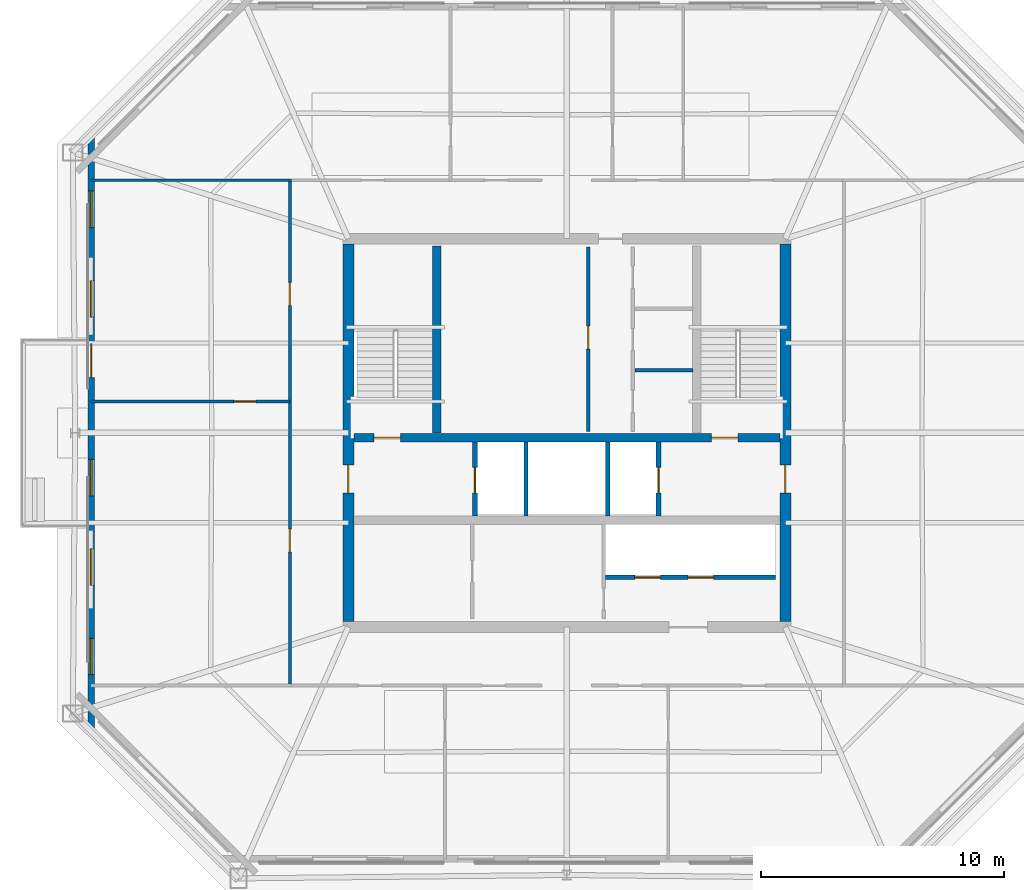
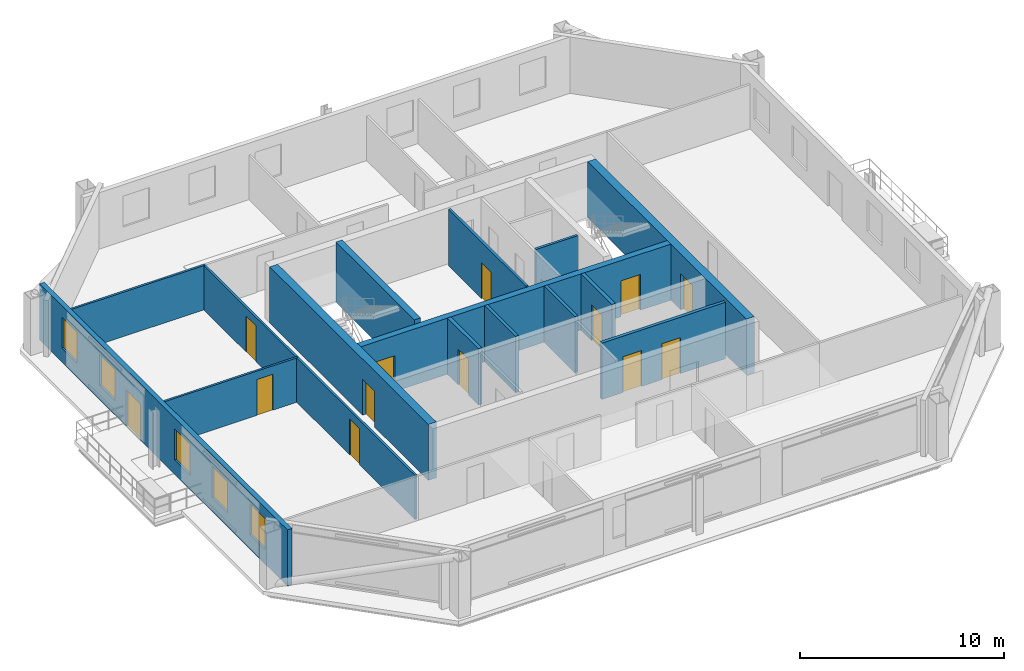
# One storey, part 3 of 7: 15 walls, 13 doors, 5 windows, 18 openings.
"""IFC4 building model written with IfcOpenShell, lengths in metres."""

from ifc_helpers import new_model, si_unit, direction, frame, frame_2d, origin, place, context, subcontext, project, spatial, rectangle, extrude, material, layer, layer_set, type_object, element, fill, save


model = new_model("IFC4")

# Units and contexts
model_context = context("Model", 3, precision=1e-05, world=origin(), true_north=direction((0.0, 1.0)))
body_context = subcontext(model_context, "Body", "Model", "MODEL_VIEW")
ifc_project = project(units=[si_unit("LENGTHUNIT", "METRE"), si_unit("AREAUNIT", "SQUARE_METRE"), si_unit("VOLUMEUNIT", "CUBIC_METRE"), si_unit("PLANEANGLEUNIT", "RADIAN"), si_unit("MASSUNIT", "GRAM", prefix="KILO")], contexts=[model_context])

# Site, building, storey
site_placement = place(None, origin())
site = spatial("IfcSite", under=ifc_project, at=site_placement, CompositionType="ELEMENT")
building_placement = place(site_placement, origin())
building = spatial("IfcBuilding", under=site, at=building_placement, Name="Caelvoria Tower", CompositionType="ELEMENT")
storey_placement = place(building_placement, frame((0.0, 0.0, 220.199951171875)))
storey = spatial("IfcBuildingStorey", under=building, at=storey_placement, Name="L58", CompositionType="ELEMENT", Elevation=220.199951171875)

# Wall, openings, doors
ifc_material_1 = material(Name="Concrete C50/60", Category="concrete")
ifc_layer_1 = layer(ifc_material_1, 0.35009765625, Name="Concrete C50/60")
ifc_layer_set_1 = layer_set([ifc_layer_1], Name="Core Internal Shear Wall 350 - Concrete C50/60")
wall_type_1 = type_object("IfcWallType", Name="Core Internal Shear Wall 350", PredefinedType="SHEAR", material=ifc_layer_set_1)
wall_1_placement = place(storey_placement, frame((37.22509765625, 31.800048828125, 0.0), z_axis=(0.0, 0.0, 1.0), x_axis=(1.0, 0.0, 0.0)))
wall_1 = element("IfcWall", 1, at=wall_1_placement, inside=storey, type_object=wall_type_1, Name="Core Shear Wall L58 M1", PredefinedType="SHEAR", context=body_context, shape_type="SweptSolid", body=[
    extrude(rectangle(XDim=17.5498046875, YDim=0.35009765625, at=frame_2d((8.77490234375, 0.0))), origin(), (0.0, 0.0, 1.0), 3.360107421875),
])
opening_1_placement = place(wall_1_placement, frame((0.824951171875, 0.0, 0.0)))
opening_1 = element("IfcOpeningElement", 2, at=opening_1_placement, cuts=wall_1, Name="Opening ID-01", PredefinedType="OPENING", context=body_context, shape_type="SweptSolid", body=[
    extrude(rectangle(XDim=1.10009765625, YDim=2.14990234375, at=frame_2d((0.550048828125, 1.074951171875))), frame((0.0, 0.18505859375, 0.0), z_axis=(0.0, -1.0, 0.0), x_axis=(1.0, 0.0, 0.0)), (0.0, 0.0, 1.0), 0.3701171875),
])
opening_2_placement = place(wall_1_placement, frame((14.72509765625, 0.0, 0.0)))
opening_2 = element("IfcOpeningElement", 3, at=opening_2_placement, cuts=wall_1, Name="Opening ID-01", PredefinedType="OPENING", context=body_context, shape_type="SweptSolid", body=[
    extrude(rectangle(XDim=1.10009765625, YDim=2.14990234375, at=frame_2d((0.550048828125, 1.074951171875))), frame((0.0, 0.18505859375, 0.0), z_axis=(0.0, -1.0, 0.0), x_axis=(1.0, 0.0, 0.0)), (0.0, 0.0, 1.0), 0.3701171875),
])
ifc_material_2 = material(Name="Painted Hollow Steel Fire Door", Category="steel")
door_type_1 = type_object("IfcDoorType", Name="Fire Door FD90S 1100x2150", OperationType="NOTDEFINED", PredefinedType="DOOR", material=ifc_material_2)
door_1_placement = place(opening_1_placement, origin())
door_1 = element("IfcDoor", 4, at=door_1_placement, inside=storey, type_object=door_type_1, Name="Core Door DR-L58-ST1", OperationType="SINGLE_SWING_LEFT", OverallHeight=2.14990234375, OverallWidth=1.10009765625, PredefinedType="DOOR", context=body_context, shape_type="SweptSolid", body=[
    extrude(rectangle(XDim=1.10009765625, YDim=2.14990234375, at=frame_2d((0.550048828125, 1.074951171875))), frame((0.0, 0.02490234375, 0.0), z_axis=(0.0, -1.0, 0.0), x_axis=(1.0, 0.0, 0.0)), (0.0, 0.0, 1.0), 0.050048828125),
])
fill(opening_1, door_1)
door_2_placement = place(opening_2_placement, origin())
door_2 = element("IfcDoor", 5, at=door_2_placement, inside=storey, type_object=door_type_1, Name="Core Door DR-L58-ST2", OperationType="SINGLE_SWING_RIGHT", OverallHeight=2.14990234375, OverallWidth=1.10009765625, PredefinedType="DOOR", context=body_context, shape_type="SweptSolid", body=[
    extrude(rectangle(XDim=1.10009765625, YDim=2.14990234375, at=frame_2d((0.550048828125, 1.074951171875))), frame((0.0, 0.02490234375, 0.0), z_axis=(0.0, -1.0, 0.0), x_axis=(1.0, 0.0, 0.0)), (0.0, 0.0, 1.0), 0.050048828125),
])
fill(opening_2, door_2)

# Wall
wall_2_placement = place(storey_placement, frame((40.64990234375, 32.0, 0.0), z_axis=(0.0, 0.0, 1.0), x_axis=(0.0, 1.0, 0.0)))
element("IfcWall", 6, at=wall_2_placement, inside=storey, type_object=wall_type_1, Name="Interior Partition IW-L58-ST1E", PredefinedType="SHEAR", context=body_context, shape_type="SweptSolid", body=[
    extrude(rectangle(XDim=7.699951171875, YDim=0.35009765625, at=frame_2d((3.85009765625, 0.0))), origin(), (0.0, 0.0, 1.0), 3.60009765625),
])

# Wall, opening, door
ifc_material_3 = material(Name="Moisture-Resistant Gypsum on Steel Stud", Category="steel")
ifc_layer_2 = layer(ifc_material_3, 0.139892578125, Name="Moisture-Resistant Gypsum on Steel Stud")
ifc_layer_set_2 = layer_set([ifc_layer_2], Name="Core Sanitary Acoustic Partition Wall 140 - Moisture-Resistant Gypsum on Steel Stud")
wall_type_2 = type_object("IfcWallType", Name="Core Sanitary Acoustic Partition Wall 140", PredefinedType="PARTITIONING", material=ifc_layer_set_2)
wall_3_placement = place(storey_placement, frame((46.8798828125, 32.050048828125, 0.0), z_axis=(0.0, 0.0, 1.0), x_axis=(0.0, 1.0, 0.0)))
wall_3 = element("IfcWall", 7, at=wall_3_placement, inside=storey, type_object=wall_type_2, Name="Interior Partition IW-L58-C2L", PredefinedType="PARTITIONING", context=body_context, shape_type="SweptSolid", body=[
    extrude(rectangle(XDim=7.599853515625, YDim=0.139892578125, at=frame_2d((3.7998046875, 0.0))), origin(), (0.0, 0.0, 1.0), 3.375),
])
opening_3_placement = place(wall_3_placement, frame((3.39990234375, 0.0, 0.0)))
opening_3 = element("IfcOpeningElement", 8, at=opening_3_placement, cuts=wall_3, Name="Opening ID-05", PredefinedType="OPENING", context=body_context, shape_type="SweptSolid", body=[
    extrude(rectangle(XDim=0.949951171875, YDim=2.14990234375, at=frame_2d((0.47509765625, 1.074951171875))), frame((0.0, 0.079833984375, 0.0), z_axis=(0.0, -1.0, 0.0), x_axis=(1.0, 0.0, 0.0)), (0.0, 0.0, 1.0), 0.159912109375),
])
ifc_material_4 = material(Name="Engineered Andean Oak Veneer Door", Category="wood")
door_type_2 = type_object("IfcDoorType", Name="Interior Timber Door 950x2150", OperationType="NOTDEFINED", PredefinedType="DOOR", material=ifc_material_4)
door_3_placement = place(opening_3_placement, origin())
door_3 = element("IfcDoor", 9, at=door_3_placement, inside=storey, type_object=door_type_2, Name="Interior Door DR-L58-C2W", OperationType="SINGLE_SWING_LEFT", OverallHeight=2.14990234375, OverallWidth=0.949951171875, PredefinedType="DOOR", context=body_context, shape_type="SweptSolid", body=[
    extrude(rectangle(XDim=0.949951171875, YDim=2.14990234375, at=frame_2d((0.47509765625, 1.074951171875))), frame((0.0, 0.02490234375, 0.0), z_axis=(0.0, -1.0, 0.0), x_axis=(1.0, 0.0, 0.0)), (0.0, 0.0, 1.0), 0.050048828125),
])
fill(opening_3, door_3)

# Walls
wall_4_placement = place(storey_placement, frame((48.800048828125, 34.580078125, 0.0), z_axis=(0.0, 0.0, 1.0), x_axis=(1.0, 0.0, 0.0)))
element("IfcWall", 10, at=wall_4_placement, inside=storey, type_object=wall_type_2, Name="Interior Partition IW-L58-C2H1", PredefinedType="PARTITIONING", context=body_context, shape_type="SweptSolid", body=[
    extrude(rectangle(XDim=2.39990234375, YDim=0.139892578125, at=frame_2d((1.199951171875, 0.0))), origin(), (0.0, 0.0, 1.0), 3.375),
])
ifc_material_5 = material(Name="Concrete Block and Fireboard Assembly", Category="concrete")
ifc_layer_3 = layer(ifc_material_5, 0.179931640625, Name="Concrete Block and Fireboard Assembly")
ifc_layer_set_3 = layer_set([ifc_layer_3], Name="Fire-Rated Hoistway Partition Wall 180 - Concrete Block and Fireboard Assembly")
wall_type_3 = type_object("IfcWallType", Name="Fire-Rated Hoistway Partition Wall 180", PredefinedType="PARTITIONING", material=ifc_layer_set_3)
for number, where, z_axis, x_axis, name in (
    (11, (44.320068359375, 28.580078125, 0.0), (0.0, 0.0, 1.0), (0.0, 1.0, 0.0), "Interior Partition IW-L58-SV1W"),
    (12, (47.679931640625, 28.580078125, 0.0), (0.0, 0.0, 1.0), (0.0, 1.0, 0.0), "Interior Partition IW-L58-SV1E"),
):
    element("IfcWall", number, at=place(storey_placement, frame(where, z_axis=z_axis, x_axis=x_axis)), inside=storey, type_object=wall_type_3, Name=name, PredefinedType="PARTITIONING", context=body_context, shape_type="SweptSolid", body=[
        extrude(rectangle(XDim=3.0400390625, YDim=0.179931640625, at=frame_2d((1.52001953125, 0.0))), origin(), (0.0, 0.0, 1.0), 3.375),
    ])

# Wall, openings, doors
wall_5_placement = place(storey_placement, frame((47.60009765625, 26.050048828125, 0.0), z_axis=(0.0, 0.0, 1.0), x_axis=(1.0, 0.0, 0.0)))
wall_5 = element("IfcWall", 13, at=wall_5_placement, inside=storey, type_object=wall_type_3, Name="Interior Partition IW-L58-LFRONT", PredefinedType="PARTITIONING", context=body_context, shape_type="SweptSolid", body=[
    extrude(rectangle(XDim=7.0, YDim=0.179931640625, at=frame_2d((3.5, 0.0))), origin(), (0.0, 0.0, 1.0), 3.375),
])
opening_4_placement = place(wall_5_placement, frame((1.199951171875, 0.0, 0.0)))
opening_4 = element("IfcOpeningElement", 14, at=opening_4_placement, cuts=wall_5, Name="Opening LD-01", PredefinedType="OPENING", context=body_context, shape_type="SweptSolid", body=[
    extrude(rectangle(XDim=1.050048828125, YDim=2.14990234375, at=frame_2d((0.52490234375, 1.074951171875))), frame((0.0, 0.099853515625, 0.0), z_axis=(0.0, -1.0, 0.0), x_axis=(1.0, 0.0, 0.0)), (0.0, 0.0, 1.0), 0.199951171875),
])
opening_5_placement = place(wall_5_placement, frame((3.39990234375, 0.0, 0.0)))
opening_5 = element("IfcOpeningElement", 15, at=opening_5_placement, cuts=wall_5, Name="Opening LD-01", PredefinedType="OPENING", context=body_context, shape_type="SweptSolid", body=[
    extrude(rectangle(XDim=1.050048828125, YDim=2.14990234375, at=frame_2d((0.52490234375, 1.074951171875))), frame((0.0, 0.099853515625, 0.0), z_axis=(0.0, -1.0, 0.0), x_axis=(1.0, 0.0, 0.0)), (0.0, 0.0, 1.0), 0.199951171875),
])
ifc_material_6 = material(Name="Brushed Bronze Stainless Sliding Landing Door", Category="aluminium")
door_type_3 = type_object("IfcDoorType", Name="Lift Landing Sliding Door 1100x2150", OperationType="NOTDEFINED", PredefinedType="DOOR", material=ifc_material_6)
door_4_placement = place(opening_4_placement, origin())
door_4 = element("IfcDoor", 16, at=door_4_placement, inside=storey, type_object=door_type_3, Name="Interior Door LD-L58-PH1", OperationType="SLIDING_TO_LEFT", OverallHeight=2.14990234375, OverallWidth=1.050048828125, PredefinedType="DOOR", context=body_context, shape_type="SweptSolid", body=[
    extrude(rectangle(XDim=1.050048828125, YDim=2.14990234375, at=frame_2d((0.52490234375, 1.074951171875))), frame((0.0, 0.02490234375, 0.0), z_axis=(0.0, -1.0, 0.0), x_axis=(1.0, 0.0, 0.0)), (0.0, 0.0, 1.0), 0.050048828125),
])
fill(opening_4, door_4)
door_5_placement = place(opening_5_placement, origin())
door_5 = element("IfcDoor", 17, at=door_5_placement, inside=storey, type_object=door_type_3, Name="Interior Door LD-L58-PH2", OperationType="SLIDING_TO_RIGHT", OverallHeight=2.14990234375, OverallWidth=1.050048828125, PredefinedType="DOOR", context=body_context, shape_type="SweptSolid", body=[
    extrude(rectangle(XDim=1.050048828125, YDim=2.14990234375, at=frame_2d((0.52490234375, 1.074951171875))), frame((0.0, 0.02490234375, 0.0), z_axis=(0.0, -1.0, 0.0), x_axis=(1.0, 0.0, 0.0)), (0.0, 0.0, 1.0), 0.050048828125),
])
fill(opening_5, door_5)

# Wall, opening, door
ifc_layer_4 = layer(ifc_material_5, 0.199951171875, Name="Concrete Block and Fireboard Assembly")
ifc_layer_set_4 = layer_set([ifc_layer_4], Name="Fire-Rated Shaft and Core Partition Wall 200 - Concrete Block and Fireboard Assembly")
wall_type_4 = type_object("IfcWallType", Name="Fire-Rated Shaft and Core Partition Wall 200", PredefinedType="PARTITIONING", material=ifc_layer_set_4)
wall_6_placement = place(storey_placement, frame((42.219970703125, 28.580078125, 0.0), z_axis=(0.0, 0.0, 1.0), x_axis=(0.0, 1.0, 0.0)))
wall_6 = element("IfcWall", 18, at=wall_6_placement, inside=storey, type_object=wall_type_4, Name="Interior Partition IW-L58-LF1W", PredefinedType="PARTITIONING", context=body_context, shape_type="SweptSolid", body=[
    extrude(rectangle(XDim=3.0400390625, YDim=0.199951171875, at=frame_2d((1.52001953125, 0.0))), origin(), (0.0, 0.0, 1.0), 3.375),
])
opening_6_placement = place(wall_6_placement, frame((0.949951171875, 0.0, 0.0)))
opening_6 = element("IfcOpeningElement", 19, at=opening_6_placement, cuts=wall_6, Name="Opening LD-01", PredefinedType="OPENING", context=body_context, shape_type="SweptSolid", body=[
    extrude(rectangle(XDim=1.050048828125, YDim=2.14990234375, at=frame_2d((0.52490234375, 1.074951171875))), frame((0.0, 0.10986328125, 0.0), z_axis=(0.0, -1.0, 0.0), x_axis=(1.0, 0.0, 0.0)), (0.0, 0.0, 1.0), 0.219970703125),
])
door_6_placement = place(opening_6_placement, origin())
door_6 = element("IfcDoor", 20, at=door_6_placement, inside=storey, type_object=door_type_3, Name="Interior Door LD-L58-LF1", OperationType="SLIDING_TO_LEFT", OverallHeight=2.14990234375, OverallWidth=1.050048828125, PredefinedType="DOOR", context=body_context, shape_type="SweptSolid", body=[
    extrude(rectangle(XDim=1.050048828125, YDim=2.14990234375, at=frame_2d((0.52490234375, 1.074951171875))), frame((0.0, 0.02490234375, 0.0), z_axis=(0.0, -1.0, 0.0), x_axis=(1.0, 0.0, 0.0)), (0.0, 0.0, 1.0), 0.050048828125),
])
fill(opening_6, door_6)

wall_7_placement = place(storey_placement, frame((49.780029296875, 28.580078125, 0.0), z_axis=(0.0, 0.0, 1.0), x_axis=(0.0, 1.0, 0.0)))
wall_7 = element("IfcWall", 21, at=wall_7_placement, inside=storey, type_object=wall_type_4, Name="Interior Partition IW-L58-LF2E", PredefinedType="PARTITIONING", context=body_context, shape_type="SweptSolid", body=[
    extrude(rectangle(XDim=3.0400390625, YDim=0.199951171875, at=frame_2d((1.52001953125, 0.0))), origin(), (0.0, 0.0, 1.0), 3.375),
])
opening_7_placement = place(wall_7_placement, frame((0.949951171875, 0.0, 0.0)))
opening_7 = element("IfcOpeningElement", 22, at=opening_7_placement, cuts=wall_7, Name="Opening LD-01", PredefinedType="OPENING", context=body_context, shape_type="SweptSolid", body=[
    extrude(rectangle(XDim=1.050048828125, YDim=2.14990234375, at=frame_2d((0.52490234375, 1.074951171875))), frame((0.0, 0.10986328125, 0.0), z_axis=(0.0, -1.0, 0.0), x_axis=(1.0, 0.0, 0.0)), (0.0, 0.0, 1.0), 0.219970703125),
])
door_7_placement = place(opening_7_placement, origin())
door_7 = element("IfcDoor", 23, at=door_7_placement, inside=storey, type_object=door_type_3, Name="Interior Door LD-L58-LF2", OperationType="SLIDING_TO_RIGHT", OverallHeight=2.14990234375, OverallWidth=1.050048828125, PredefinedType="DOOR", context=body_context, shape_type="SweptSolid", body=[
    extrude(rectangle(XDim=1.050048828125, YDim=2.14990234375, at=frame_2d((0.52490234375, 1.074951171875))), frame((0.0, 0.02490234375, 0.0), z_axis=(0.0, -1.0, 0.0), x_axis=(1.0, 0.0, 0.0)), (0.0, 0.0, 1.0), 0.050048828125),
])
fill(opening_7, door_7)

ifc_material_7 = material(Name="Acoustic Gypsum Board on Light-Gauge Stud", Category="gypsum")
ifc_layer_5 = layer(ifc_material_7, 0.1201171875, Name="Acoustic Gypsum Board on Light-Gauge Stud")
ifc_layer_set_5 = layer_set([ifc_layer_5], Name="Tenant Suite Acoustic Partition Wall 120 - Acoustic Gypsum Board on Light-Gauge Stud")
wall_type_5 = type_object("IfcWallType", Name="Tenant Suite Acoustic Partition Wall 120", PredefinedType="PARTITIONING", material=ifc_layer_set_5)
wall_8_placement = place(storey_placement, frame((34.590087890625, 33.298583984375, 0.0), z_axis=(0.0, 0.0, 1.0), x_axis=(-1.0, 0.0, 0.0)))
wall_8 = element("IfcWall", 24, at=wall_8_placement, inside=storey, type_object=wall_type_5, Name="Interior Partition IW-L58-WD-00-0", PredefinedType="PARTITIONING", context=body_context, shape_type="SweptSolid", body=[
    extrude(rectangle(XDim=8.182861328125, YDim=0.1201171875, at=frame_2d((4.09130859375, 0.0))), origin(), (0.0, 0.0, 1.0), 2.655029296875),
])
opening_8_placement = place(wall_8_placement, frame((1.39990234375, 0.0, 0.0)))
opening_8 = element("IfcOpeningElement", 25, at=opening_8_placement, cuts=wall_8, Name="Opening ID-06", PredefinedType="OPENING", context=body_context, shape_type="SweptSolid", body=[
    extrude(rectangle(XDim=0.89990234375, YDim=2.14990234375, at=frame_2d((0.449951171875, 1.074951171875))), frame((0.0, 0.070068359375, 0.0), z_axis=(0.0, -1.0, 0.0), x_axis=(1.0, 0.0, 0.0)), (0.0, 0.0, 1.0), 0.14013671875),
])
door_type_4 = type_object("IfcDoorType", Name="Interior Timber Door 900x2150", OperationType="NOTDEFINED", PredefinedType="DOOR", material=ifc_material_4)
door_8_placement = place(opening_8_placement, origin())
door_8 = element("IfcDoor", 26, at=door_8_placement, inside=storey, type_object=door_type_4, Name="Interior Door DR-L58-WM-00-0", OperationType="SINGLE_SWING_RIGHT", OverallHeight=2.14990234375, OverallWidth=0.89990234375, PredefinedType="DOOR", context=body_context, shape_type="SweptSolid", body=[
    extrude(rectangle(XDim=0.89990234375, YDim=2.14990234375, at=frame_2d((0.449951171875, 1.074951171875))), frame((0.0, 0.02490234375, 0.0), z_axis=(0.0, -1.0, 0.0), x_axis=(1.0, 0.0, 0.0)), (0.0, 0.0, 1.0), 0.050048828125),
])
fill(opening_8, door_8)

# Wall, openings, doors
wall_9_placement = place(storey_placement, frame((34.590087890625, 21.64990234375, 0.0), z_axis=(0.0, 0.0, 1.0), x_axis=(0.0, 1.0, 0.0)))
wall_9 = element("IfcWall", 27, at=wall_9_placement, inside=storey, type_object=wall_type_5, Name="Interior Partition IW-L58-WCW-0", PredefinedType="PARTITIONING", context=body_context, shape_type="SweptSolid", body=[
    extrude(rectangle(XDim=20.7001953125, YDim=0.1201171875, at=frame_2d((10.35009765625, 0.0))), origin(), (0.0, 0.0, 1.0), 2.655029296875),
])
opening_9_placement = place(wall_9_placement, frame((5.44921875, 0.0, 0.0)))
opening_9 = element("IfcOpeningElement", 28, at=opening_9_placement, cuts=wall_9, Name="Opening ID-05", PredefinedType="OPENING", context=body_context, shape_type="SweptSolid", body=[
    extrude(rectangle(XDim=0.949951171875, YDim=2.14990234375, at=frame_2d((0.47509765625, 1.074951171875))), frame((0.0, 0.070068359375, 0.0), z_axis=(0.0, -1.0, 0.0), x_axis=(1.0, 0.0, 0.0)), (0.0, 0.0, 1.0), 0.14013671875),
])
opening_10_placement = place(wall_9_placement, frame((15.59912109375, 0.0, 0.0)))
opening_10 = element("IfcOpeningElement", 29, at=opening_10_placement, cuts=wall_9, Name="Opening ID-05", PredefinedType="OPENING", context=body_context, shape_type="SweptSolid", body=[
    extrude(rectangle(XDim=0.949951171875, YDim=2.14990234375, at=frame_2d((0.47509765625, 1.074951171875))), frame((0.0, 0.070068359375, 0.0), z_axis=(0.0, -1.0, 0.0), x_axis=(1.0, 0.0, 0.0)), (0.0, 0.0, 1.0), 0.14013671875),
])
door_9_placement = place(opening_9_placement, origin())
door_9 = element("IfcDoor", 30, at=door_9_placement, inside=storey, type_object=door_type_2, Name="Interior Door DR-L58-WC-00-0", OperationType="SINGLE_SWING_LEFT", OverallHeight=2.14990234375, OverallWidth=0.949951171875, PredefinedType="DOOR", context=body_context, shape_type="SweptSolid", body=[
    extrude(rectangle(XDim=0.949951171875, YDim=2.14990234375, at=frame_2d((0.47509765625, 1.074951171875))), frame((0.0, 0.02490234375, 0.0), z_axis=(0.0, -1.0, 0.0), x_axis=(1.0, 0.0, 0.0)), (0.0, 0.0, 1.0), 0.050048828125),
])
fill(opening_9, door_9)
door_10_placement = place(opening_10_placement, origin())
door_10 = element("IfcDoor", 31, at=door_10_placement, inside=storey, type_object=door_type_2, Name="Interior Door DR-L58-WC-01-0", OperationType="SINGLE_SWING_RIGHT", OverallHeight=2.14990234375, OverallWidth=0.949951171875, PredefinedType="DOOR", context=body_context, shape_type="SweptSolid", body=[
    extrude(rectangle(XDim=0.949951171875, YDim=2.14990234375, at=frame_2d((0.47509765625, 1.074951171875))), frame((0.0, 0.02490234375, 0.0), z_axis=(0.0, -1.0, 0.0), x_axis=(1.0, 0.0, 0.0)), (0.0, 0.0, 1.0), 0.050048828125),
])
fill(opening_10, door_10)

# Wall
wall_10_placement = place(storey_placement, frame((34.64990234375, 42.409912109375, 0.0), z_axis=(0.0, 0.0, 1.0), x_axis=(-1.0, 0.0, 0.0)))
element("IfcWall", 32, at=wall_10_placement, inside=storey, type_object=wall_type_5, Name="Interior Partition IW-L58-BNW-0", PredefinedType="PARTITIONING", context=body_context, shape_type="SweptSolid", body=[
    extrude(rectangle(XDim=8.24267578125, YDim=0.1201171875, at=frame_2d((4.121337890625, 0.0))), origin(), (0.0, 0.0, 1.0), 2.655029296875),
])

# Wall, opening, door
ifc_layer_6 = layer(ifc_material_1, 0.449951171875, Name="Concrete C50/60")
ifc_layer_set_6 = layer_set([ifc_layer_6], Name="Upper Core Shear Wall 450 - Concrete C50/60")
wall_type_6 = type_object("IfcWallType", Name="Upper Core Shear Wall 450", PredefinedType="SHEAR", material=ifc_layer_set_6)
wall_11_placement = place(storey_placement, frame((37.0, 24.22509765625, 0.0), z_axis=(0.0, 0.0, 1.0), x_axis=(0.0, 1.0, 0.0)))
wall_11 = element("IfcWall", 33, at=wall_11_placement, inside=storey, type_object=wall_type_6, Name="Core Shear Wall L58 W", PredefinedType="SHEAR", context=body_context, shape_type="SweptSolid", body=[
    extrude(rectangle(XDim=15.5498046875, YDim=0.449951171875, at=frame_2d((7.77490234375, 0.0))), origin(), (0.0, 0.0, 1.0), 3.360107421875),
])
opening_11_placement = place(wall_11_placement, frame((5.300048828125, 0.0, 0.0)))
opening_11 = element("IfcOpeningElement", 34, at=opening_11_placement, cuts=wall_11, Name="Opening ID-02", PredefinedType="OPENING", context=body_context, shape_type="SweptSolid", body=[
    extrude(rectangle(XDim=1.14990234375, YDim=2.14990234375, at=frame_2d((0.574951171875, 1.074951171875))), frame((0.0, 0.23486328125, 0.0), z_axis=(0.0, -1.0, 0.0), x_axis=(1.0, 0.0, 0.0)), (0.0, 0.0, 1.0), 0.469970703125),
])
door_type_5 = type_object("IfcDoorType", Name="Fire Door FD60S 1150x2150", OperationType="NOTDEFINED", PredefinedType="DOOR", material=ifc_material_2)
door_11_placement = place(opening_11_placement, origin())
door_11 = element("IfcDoor", 35, at=door_11_placement, inside=storey, type_object=door_type_5, Name="Core Door DR-L58-FFLW-OUT", OperationType="SINGLE_SWING_LEFT", OverallHeight=2.14990234375, OverallWidth=1.14990234375, PredefinedType="DOOR", context=body_context, shape_type="SweptSolid", body=[
    extrude(rectangle(XDim=1.14990234375, YDim=2.14990234375, at=frame_2d((0.574951171875, 1.074951171875))), frame((0.0, 0.02490234375, 0.0), z_axis=(0.0, -1.0, 0.0), x_axis=(1.0, 0.0, 0.0)), (0.0, 0.0, 1.0), 0.050048828125),
])
fill(opening_11, door_11)

wall_12_placement = place(storey_placement, frame((55.0, 24.22509765625, 0.0), z_axis=(0.0, 0.0, 1.0), x_axis=(0.0, 1.0, 0.0)))
wall_12 = element("IfcWall", 36, at=wall_12_placement, inside=storey, type_object=wall_type_6, Name="Core Shear Wall L58 E", PredefinedType="SHEAR", context=body_context, shape_type="SweptSolid", body=[
    extrude(rectangle(XDim=15.5498046875, YDim=0.449951171875, at=frame_2d((7.77490234375, 0.0))), origin(), (0.0, 0.0, 1.0), 3.360107421875),
])
opening_12_placement = place(wall_12_placement, frame((5.300048828125, 0.0, 0.0)))
opening_12 = element("IfcOpeningElement", 37, at=opening_12_placement, cuts=wall_12, Name="Opening ID-02", PredefinedType="OPENING", context=body_context, shape_type="SweptSolid", body=[
    extrude(rectangle(XDim=1.14990234375, YDim=2.14990234375, at=frame_2d((0.574951171875, 1.074951171875))), frame((0.0, 0.23486328125, 0.0), z_axis=(0.0, -1.0, 0.0), x_axis=(1.0, 0.0, 0.0)), (0.0, 0.0, 1.0), 0.469970703125),
])
door_12_placement = place(opening_12_placement, origin())
door_12 = element("IfcDoor", 38, at=door_12_placement, inside=storey, type_object=door_type_5, Name="Core Door DR-L58-FFLE-OUT", OperationType="SINGLE_SWING_RIGHT", OverallHeight=2.14990234375, OverallWidth=1.14990234375, PredefinedType="DOOR", context=body_context, shape_type="SweptSolid", body=[
    extrude(rectangle(XDim=1.14990234375, YDim=2.14990234375, at=frame_2d((0.574951171875, 1.074951171875))), frame((0.0, 0.02490234375, 0.0), z_axis=(0.0, -1.0, 0.0), x_axis=(1.0, 0.0, 0.0)), (0.0, 0.0, 1.0), 0.050048828125),
])
fill(opening_12, door_12)

# Wall, openings, door, windows
ifc_material_8 = material(Name="Precast Concrete C40/50 with Bronze Cladding", Category="concrete")
ifc_layer_7 = layer(ifc_material_8, 0.264892578125, Name="Precast Concrete C40/50 with Bronze Cladding")
ifc_layer_set_7 = layer_set([ifc_layer_7], Name="Upper Taper Precast Concrete C40/50 Bronze Facade Wall 265 - Precast Concrete C40/50 with Bronze Cladding")
wall_type_7 = type_object("IfcWallType", Name="Upper Taper Precast Concrete C40/50 Bronze Facade Wall 265", PredefinedType="STANDARD", material=ifc_layer_set_7)
wall_13_placement = place(storey_placement, frame((26.4072265625, 44.149169921875, 0.0), z_axis=(0.0, 0.0, 1.0), x_axis=(0.0, -1.0, 0.0)))
wall_13 = element("IfcWall", 39, at=wall_13_placement, inside=storey, type_object=wall_type_7, Name="Exterior Facade Wall L58-E6", PredefinedType="STANDARD", context=body_context, shape_type="SweptSolid", body=[
    extrude(rectangle(XDim=24.29833984375, YDim=0.264892578125, at=frame_2d((12.149169921875, 0.0))), origin(), (0.0, 0.0, 1.0), 3.375),
])
opening_13_placement = place(wall_13_placement, frame((8.468994140625, 0.0, 0.0)))
opening_13 = element("IfcOpeningElement", 40, at=opening_13_placement, cuts=wall_13, Name="Opening ED-04", PredefinedType="OPENING", context=body_context, shape_type="SweptSolid", body=[
    extrude(rectangle(XDim=1.39990234375, YDim=2.14990234375, at=frame_2d((0.699951171875, 1.074951171875))), frame((0.0, 0.142333984375, 0.0), z_axis=(0.0, -1.0, 0.0), x_axis=(1.0, 0.0, 0.0)), (0.0, 0.0, 1.0), 0.284912109375),
])
opening_14_placement = place(wall_13_placement, frame((2.19140625, 0.0, 0.85009765625)))
opening_14 = element("IfcOpeningElement", 41, at=opening_14_placement, cuts=wall_13, Name="Opening WN-03", PredefinedType="OPENING", context=body_context, shape_type="SweptSolid", body=[
    extrude(rectangle(XDim=1.5, YDim=1.85009765625, at=frame_2d((0.75, 0.925048828125))), frame((0.0, 0.142333984375, 0.0), z_axis=(0.0, -1.0, 0.0), x_axis=(1.0, 0.0, 0.0)), (0.0, 0.0, 1.0), 0.284912109375),
])
opening_15_placement = place(wall_13_placement, frame((5.87451171875, 0.0, 0.85009765625)))
opening_15 = element("IfcOpeningElement", 42, at=opening_15_placement, cuts=wall_13, Name="Opening WN-03", PredefinedType="OPENING", context=body_context, shape_type="SweptSolid", body=[
    extrude(rectangle(XDim=1.5, YDim=1.85009765625, at=frame_2d((0.75, 0.925048828125))), frame((0.0, 0.142333984375, 0.0), z_axis=(0.0, -1.0, 0.0), x_axis=(1.0, 0.0, 0.0)), (0.0, 0.0, 1.0), 0.284912109375),
])
opening_16_placement = place(wall_13_placement, frame((13.240478515625, 0.0, 0.85009765625)))
opening_16 = element("IfcOpeningElement", 43, at=opening_16_placement, cuts=wall_13, Name="Opening WN-03", PredefinedType="OPENING", context=body_context, shape_type="SweptSolid", body=[
    extrude(rectangle(XDim=1.5, YDim=1.85009765625, at=frame_2d((0.75, 0.925048828125))), frame((0.0, 0.142333984375, 0.0), z_axis=(0.0, -1.0, 0.0), x_axis=(1.0, 0.0, 0.0)), (0.0, 0.0, 1.0), 0.284912109375),
])
opening_17_placement = place(wall_13_placement, frame((16.923583984375, 0.0, 0.85009765625)))
opening_17 = element("IfcOpeningElement", 44, at=opening_17_placement, cuts=wall_13, Name="Opening WN-03", PredefinedType="OPENING", context=body_context, shape_type="SweptSolid", body=[
    extrude(rectangle(XDim=1.5, YDim=1.85009765625, at=frame_2d((0.75, 0.925048828125))), frame((0.0, 0.142333984375, 0.0), z_axis=(0.0, -1.0, 0.0), x_axis=(1.0, 0.0, 0.0)), (0.0, 0.0, 1.0), 0.284912109375),
])
opening_18_placement = place(wall_13_placement, frame((20.606689453125, 0.0, 0.85009765625)))
opening_18 = element("IfcOpeningElement", 45, at=opening_18_placement, cuts=wall_13, Name="Opening WN-03", PredefinedType="OPENING", context=body_context, shape_type="SweptSolid", body=[
    extrude(rectangle(XDim=1.5, YDim=1.85009765625, at=frame_2d((0.75, 0.925048828125))), frame((0.0, 0.142333984375, 0.0), z_axis=(0.0, -1.0, 0.0), x_axis=(1.0, 0.0, 0.0)), (0.0, 0.0, 1.0), 0.284912109375),
])
ifc_material_9 = material(Name="Anodised Bronze Aluminium and Laminated Glass", Category="aluminium")
door_type_6 = type_object("IfcDoorType", Name="Tree Balcony Glazed Door 1400x2150", OperationType="NOTDEFINED", PredefinedType="DOOR", material=ifc_material_9)
door_13_placement = place(opening_13_placement, origin())
door_13 = element("IfcDoor", 46, at=door_13_placement, inside=storey, type_object=door_type_6, Name="Tree Balcony Door L58-W", OperationType="SINGLE_SWING_LEFT", OverallHeight=2.14990234375, OverallWidth=1.39990234375, PredefinedType="DOOR", context=body_context, shape_type="SweptSolid", body=[
    extrude(rectangle(XDim=1.39990234375, YDim=2.14990234375, at=frame_2d((0.699951171875, 1.074951171875))), frame((0.0, 0.02490234375, 0.0), z_axis=(0.0, -1.0, 0.0), x_axis=(1.0, 0.0, 0.0)), (0.0, 0.0, 1.0), 0.050048828125),
])
fill(opening_13, door_13)
ifc_material_10 = material(Name="Low-E Tinted Glass in Bronze Aluminium Frame", Category="aluminium")
window_type = type_object("IfcWindowType", Name="Upper Taper Vision Window 1500x1850", PartitioningType="SINGLE_PANEL", PredefinedType="WINDOW", material=ifc_material_10)
window_1_placement = place(opening_14_placement, origin())
window_1 = element("IfcWindow", 47, at=window_1_placement, inside=storey, type_object=window_type, Name="Facade Window L58-E6-00", OverallHeight=1.85009765625, OverallWidth=1.5, PartitioningType="SINGLE_PANEL", PredefinedType="WINDOW", context=body_context, shape_type="SweptSolid", body=[
    extrude(rectangle(XDim=1.5, YDim=1.85009765625, at=frame_2d((0.75, 0.925048828125))), frame((0.0, 0.030029296875, 0.0), z_axis=(0.0, -1.0, 0.0), x_axis=(1.0, 0.0, 0.0)), (0.0, 0.0, 1.0), 0.06005859375),
])
fill(opening_14, window_1)
window_2_placement = place(opening_15_placement, origin())
window_2 = element("IfcWindow", 48, at=window_2_placement, inside=storey, type_object=window_type, Name="Facade Window L58-E6-01", OverallHeight=1.85009765625, OverallWidth=1.5, PartitioningType="SINGLE_PANEL", PredefinedType="WINDOW", context=body_context, shape_type="SweptSolid", body=[
    extrude(rectangle(XDim=1.5, YDim=1.85009765625, at=frame_2d((0.75, 0.925048828125))), frame((0.0, 0.030029296875, 0.0), z_axis=(0.0, -1.0, 0.0), x_axis=(1.0, 0.0, 0.0)), (0.0, 0.0, 1.0), 0.06005859375),
])
fill(opening_15, window_2)
window_3_placement = place(opening_16_placement, origin())
window_3 = element("IfcWindow", 49, at=window_3_placement, inside=storey, type_object=window_type, Name="Facade Window L58-E6-03", OverallHeight=1.85009765625, OverallWidth=1.5, PartitioningType="SINGLE_PANEL", PredefinedType="WINDOW", context=body_context, shape_type="SweptSolid", body=[
    extrude(rectangle(XDim=1.5, YDim=1.85009765625, at=frame_2d((0.75, 0.925048828125))), frame((0.0, 0.030029296875, 0.0), z_axis=(0.0, -1.0, 0.0), x_axis=(1.0, 0.0, 0.0)), (0.0, 0.0, 1.0), 0.06005859375),
])
fill(opening_16, window_3)
window_4_placement = place(opening_17_placement, origin())
window_4 = element("IfcWindow", 50, at=window_4_placement, inside=storey, type_object=window_type, Name="Facade Window L58-E6-04", OverallHeight=1.85009765625, OverallWidth=1.5, PartitioningType="SINGLE_PANEL", PredefinedType="WINDOW", context=body_context, shape_type="SweptSolid", body=[
    extrude(rectangle(XDim=1.5, YDim=1.85009765625, at=frame_2d((0.75, 0.925048828125))), frame((0.0, 0.030029296875, 0.0), z_axis=(0.0, -1.0, 0.0), x_axis=(1.0, 0.0, 0.0)), (0.0, 0.0, 1.0), 0.06005859375),
])
fill(opening_17, window_4)
window_5_placement = place(opening_18_placement, origin())
window_5 = element("IfcWindow", 51, at=window_5_placement, inside=storey, type_object=window_type, Name="Facade Window L58-E6-05", OverallHeight=1.85009765625, OverallWidth=1.5, PartitioningType="SINGLE_PANEL", PredefinedType="WINDOW", context=body_context, shape_type="SweptSolid", body=[
    extrude(rectangle(XDim=1.5, YDim=1.85009765625, at=frame_2d((0.75, 0.925048828125))), frame((0.0, 0.030029296875, 0.0), z_axis=(0.0, -1.0, 0.0), x_axis=(1.0, 0.0, 0.0)), (0.0, 0.0, 1.0), 0.06005859375),
])
fill(opening_18, window_5)

save(model, "model.ifc")
